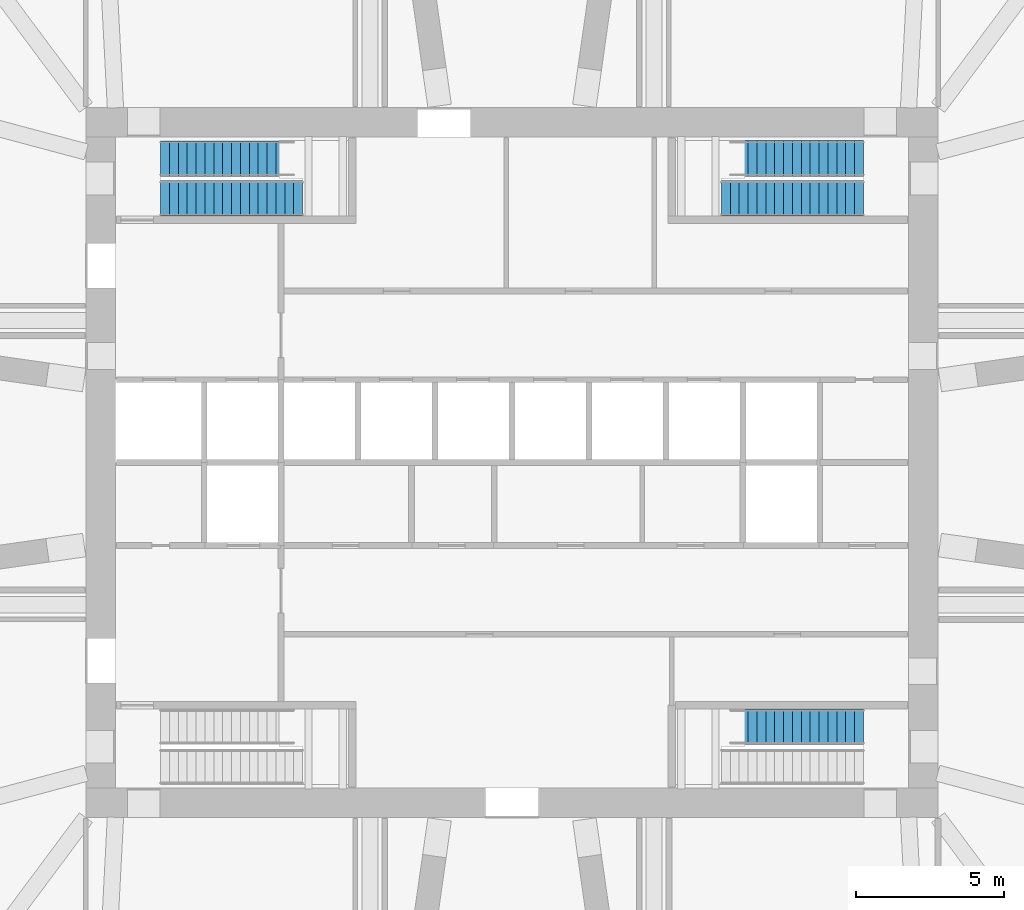
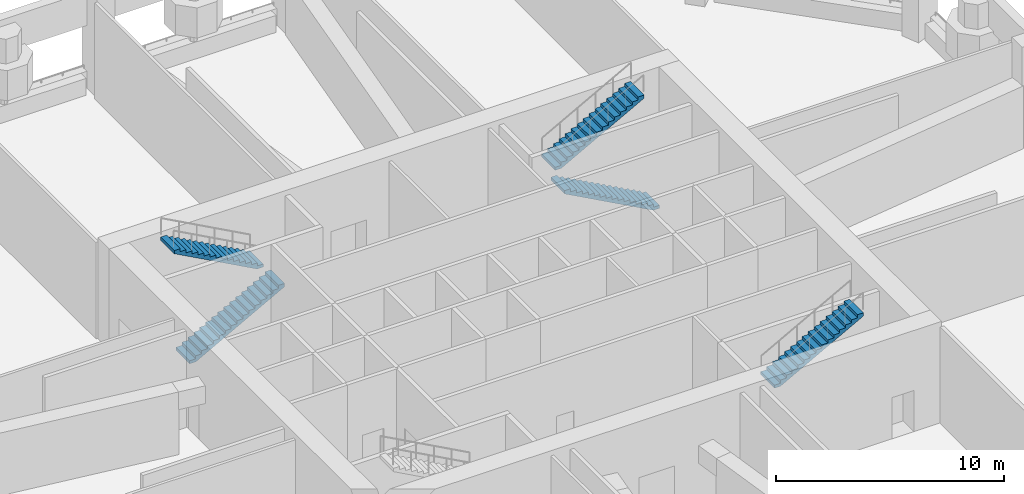
# One storey, part 6 of 9: 5 stair flights, 3 elements without a shape of their own.
"""IFC4 building model written with IfcOpenShell, lengths in metres."""

import ifcopenshell
import ifcopenshell.guid

model = None  # the IFC model being written
_history = None  # IfcOwnerHistory: only IFC2X3 demands one
_inside = {}  # id of a spatial element -> (the spatial element, [elements in it])
_under = {}  # id of a project, library or spatial element -> (it, [spatial elements below it])
_declared = {}  # id of a project -> (the project, [libraries it declares])
_typed = {}  # id of a type object -> (the type object, [elements of that type])
_made_of = {}  # id of a material, layer set ... -> (it, [elements and type objects made of it])


def new_model(schema):
    """Start an empty IFC model of exactly this schema.

    Asked for "IFC4X3", IfcOpenShell would pick the latest addendum, in which some entities
    have other attributes; the version numbers below select the first issue.
    IFC2X3 requires an IfcOwnerHistory on every rooted entity: one is made here for all.
    """
    global model, _history
    if schema == "IFC4X3":
        model = ifcopenshell.file(schema_version=(4, 3, 0, 0))
    else:
        model = ifcopenshell.file(schema=schema)
    _inside.clear()
    _under.clear()
    _declared.clear()
    _typed.clear()
    _made_of.clear()
    _history = None
    if model.schema == "IFC2X3":
        org = make("IfcOrganization", Name="unknown")
        user = make(
            "IfcPersonAndOrganization",
            ThePerson=make("IfcPerson", FamilyName="unknown"),
            TheOrganization=org,
        )
        app = make(
            "IfcApplication",
            ApplicationDeveloper=org,
            Version="unknown",
            ApplicationFullName="unknown",
            ApplicationIdentifier="unknown",
        )
        _history = make(
            "IfcOwnerHistory",
            OwningUser=user,
            OwningApplication=app,
            ChangeAction="ADDED",
            CreationDate=0,
        )
    return model


def make(cls, **values):
    """One entity of the class cls with the attributes given. An attribute that is None is left unset."""
    return model.create_entity(
        cls, **{name: value for name, value in values.items() if value is not None}
    )


def rooted(cls, **values):
    """An entity with a GlobalId (a new one), such as an element, a storey or a relation."""
    return make(cls, GlobalId=ifcopenshell.guid.new(), OwnerHistory=_history, **values)


def si_unit(unit_type, name, prefix=None):
    """IfcSIUnit, for example si_unit("LENGTHUNIT", "METRE", prefix="MILLI")."""
    return make("IfcSIUnit", UnitType=unit_type, Prefix=prefix, Name=name)


def assignment(units):
    """IfcUnitAssignment: the units of a project."""
    return None if units is None else make("IfcUnitAssignment", Units=units)


def point(xyz):
    """IfcCartesianPoint."""
    return None if xyz is None else make("IfcCartesianPoint", Coordinates=xyz)


def direction(xyz):
    """IfcDirection."""
    return None if xyz is None else make("IfcDirection", DirectionRatios=xyz)


def frame(location, z_axis=None, x_axis=None):
    """IfcAxis2Placement3D, a coordinate frame: its origin and axes. An axis left out is left unset."""
    return make(
        "IfcAxis2Placement3D",
        Location=point(location),
        Axis=direction(z_axis),
        RefDirection=direction(x_axis),
    )


def origin():
    """The frame at (0, 0, 0) with its axes left unset."""
    return frame((0.0, 0.0, 0.0))


def place(relative_to, where):
    """IfcLocalPlacement: puts the frame where relative to a parent placement (None: the world)."""
    return make(
        "IfcLocalPlacement", PlacementRelTo=relative_to, RelativePlacement=where
    )


def context(
    kind, dimensions, precision=None, world=None, true_north=None, identifier=None
):
    """IfcGeometricRepresentationContext, for example the 3D "Model" context."""
    return make(
        "IfcGeometricRepresentationContext",
        ContextIdentifier=identifier,
        ContextType=kind,
        CoordinateSpaceDimension=dimensions,
        Precision=precision,
        WorldCoordinateSystem=world,
        TrueNorth=true_north,
    )


def subcontext(parent, identifier, kind, view, scale=None):
    """IfcGeometricRepresentationSubContext, for example "Body" below "Model"."""
    return make(
        "IfcGeometricRepresentationSubContext",
        ContextIdentifier=identifier,
        ContextType=kind,
        ParentContext=parent,
        TargetScale=scale,
        TargetView=view,
    )


def project(units=None, contexts=None):
    """IfcProject with its units and contexts."""
    return rooted(
        "IfcProject",
        Name="project",
        RepresentationContexts=contexts,
        UnitsInContext=assignment(units),
    )


def spatial(cls, under=None, at=None, **own):
    """A site, building, storey or space (cls), placed at a placement, below another one or the project."""
    s = rooted(cls, ObjectPlacement=at, **own)
    if under is not None:
        _under.setdefault(under.id(), (under, []))[1].append(s)
    return s


def polyline(points):
    """IfcPolyline through the points."""
    return make("IfcPolyline", Points=[point(p) for p in points])


def outline(outer, holes=None, kind="AREA"):
    """IfcArbitraryClosedProfileDef: a profile drawn as a closed curve; with holes, ...WithVoids."""
    if holes is None:
        return make("IfcArbitraryClosedProfileDef", ProfileType=kind, OuterCurve=outer)
    return make(
        "IfcArbitraryProfileDefWithVoids",
        ProfileType=kind,
        OuterCurve=outer,
        InnerCurves=holes,
    )


def extrude(swept, where, along, depth):
    """IfcExtrudedAreaSolid: the profile swept, set in the frame where, extruded along a direction by depth."""
    return make(
        "IfcExtrudedAreaSolid",
        SweptArea=swept,
        Position=where,
        ExtrudedDirection=direction(along),
        Depth=depth,
    )


def shape(context_of_items, identifier, shape_type, items):
    """IfcShapeRepresentation: the items that make up one representation, for example the "Body"."""
    return make(
        "IfcShapeRepresentation",
        ContextOfItems=context_of_items,
        RepresentationIdentifier=identifier,
        RepresentationType=shape_type,
        Items=items,
    )


def material(Name=None, Category=None):
    """IfcMaterial."""
    return make("IfcMaterial", Name=Name, Category=Category)


def made_of(thing, what):
    """Note that an element or type object is made of a material, layer set ...; save() writes the relation."""
    if what is not None:
        _made_of.setdefault(what.id(), (what, []))[1].append(thing)
    return thing


def type_object(cls, material=None, **own):
    """A type object (cls), such as IfcWallType, which elements share."""
    return made_of(rooted(cls, **own), material)


def element(
    cls,
    number,
    at=None,
    inside=None,
    cuts=None,
    type_object=None,
    material=None,
    context=None,
    identifier="Body",
    shape_type=None,
    held_by="IfcProductDefinitionShape",
    body=None,
    shapes=None,
    **own,
):
    """One element of the class cls, such as IfcWall. Its Tag is "e" and its number.

    at: its placement. inside: the storey or other place that contains it. cuts: it is an
    opening in that element (IfcRelVoidsElement). A single representation is given by context,
    identifier, shape_type and body (its items); several are given by shapes. held_by: the class
    of the entity that holds the representations. save() writes the other relations.
    """
    e = rooted(cls, Tag="e%d" % number, ObjectPlacement=at, **own)
    if body is not None:
        shapes = [shape(context, identifier, shape_type, body)]
    if shapes is not None:
        e.Representation = make(held_by, Representations=shapes)
    if inside is not None:
        _inside.setdefault(inside.id(), (inside, []))[1].append(e)
    if cuts is not None:
        rooted(
            "IfcRelVoidsElement", RelatingBuildingElement=cuts, RelatedOpeningElement=e
        )
    if type_object is not None:
        _typed.setdefault(type_object.id(), (type_object, []))[1].append(e)
    return made_of(e, material)


def aggregate(whole, parts):
    """IfcRelAggregates: a whole, such as a stair, and the parts it consists of."""
    return rooted("IfcRelAggregates", RelatingObject=whole, RelatedObjects=parts)


def save(model, path):
    """Write the relations noted so far, then the file.

    IfcRelAggregates (storeys below a building ...), IfcRelContainedInSpatialStructure (elements
    in a storey), IfcRelDefinesByType, IfcRelAssociatesMaterial and IfcRelDeclares: one each for
    every whole, place, type object, material and project.
    """
    for whole, parts in _under.values():
        aggregate(whole, parts)
    for where, things in _inside.values():
        rooted(
            "IfcRelContainedInSpatialStructure",
            RelatedElements=things,
            RelatingStructure=where,
        )
    for kind, things in _typed.values():
        rooted("IfcRelDefinesByType", RelatedObjects=things, RelatingType=kind)
    for what, things in _made_of.values():
        rooted("IfcRelAssociatesMaterial", RelatedObjects=things, RelatingMaterial=what)
    for by, libraries in _declared.values():
        rooted("IfcRelDeclares", RelatingContext=by, RelatedDefinitions=libraries)
    model.write(path)


model = new_model("IFC4")

# Units and contexts
model_context = context("Model", 3, precision=1e-05, world=origin(), true_north=direction((0.0, 1.0)))
body_context = subcontext(model_context, "Body", "Model", "MODEL_VIEW")
ifc_project = project(units=[si_unit("LENGTHUNIT", "METRE"), si_unit("AREAUNIT", "SQUARE_METRE"), si_unit("VOLUMEUNIT", "CUBIC_METRE"), si_unit("PLANEANGLEUNIT", "RADIAN"), si_unit("MASSUNIT", "GRAM", prefix="KILO")], contexts=[model_context])

# Site, building, storey
site_placement = place(None, origin())
site = spatial("IfcSite", under=ifc_project, at=site_placement, CompositionType="ELEMENT")
building_placement = place(site_placement, origin())
building = spatial("IfcBuilding", under=site, at=building_placement, Name="Msitu Wima Residences", CompositionType="ELEMENT")
storey_placement = place(building_placement, frame((0.0, 0.0, 101.10009765625)))
storey = spatial("IfcBuildingStorey", under=building, at=storey_placement, Name="L23", CompositionType="ELEMENT", Elevation=101.10009765625)

# Stair, stair flights
ifc_material = material(Name="Concrete C40/50", Category="concrete")
stair_type = type_object("IfcStairType", Name="Exit stair ES1636-120", PredefinedType="HALF_TURN_STAIR", material=ifc_material)
stair_1_placement = place(storey_placement, origin())
stair_1 = element("IfcStair", 1, at=stair_1_placement, inside=storey, type_object=stair_type, Name="Exit stair 1", PredefinedType="HALF_TURN_STAIR")
stair_flight_type = type_object("IfcStairFlightType", Name="Exit stair flight ES1636-120", PredefinedType="STRAIGHT", material=ifc_material)
stair_flight_1_placement = place(storey_placement, frame((-11.875, 8.925048828125, 0.0), z_axis=(0.0, 0.0, 1.0), x_axis=(1.0, 0.0, 0.0)))
stair_flight_1 = element("IfcStairFlight", 2, at=stair_flight_1_placement, type_object=stair_flight_type, Name="S1 flight 1", NumberOfRisers=17, NumberOfTreads=16, PredefinedType="STRAIGHT", RiserHeight=0.163636364, TreadLength=0.3, context=body_context, shape_type="SweptSolid", body=[
    extrude(outline(polyline([(0.0, 0.0), (0.0, 0.16357421875), (0.300048828125, 0.16357421875), (0.300048828125, 0.327392578125), (0.60009765625, 0.327392578125), (0.60009765625, 0.490966796875), (0.89990234375, 0.490966796875), (0.89990234375, 0.654541015625), (1.199951171875, 0.654541015625), (1.199951171875, 0.818115234375), (1.5, 0.818115234375), (1.5, 0.98193359375), (1.800048828125, 0.98193359375), (1.800048828125, 1.1455078125), (2.10009765625, 1.1455078125), (2.10009765625, 1.30908203125), (2.39990234375, 1.30908203125), (2.39990234375, 1.47265625), (2.699951171875, 1.47265625), (2.699951171875, 1.636474609375), (3.0, 1.636474609375), (3.0, 1.800048828125), (3.300048828125, 1.800048828125), (3.300048828125, 1.963623046875), (3.60009765625, 1.963623046875), (3.60009765625, 2.127197265625), (3.89990234375, 2.127197265625), (3.89990234375, 2.291015625), (4.199951171875, 2.291015625), (4.199951171875, 2.45458984375), (4.5, 2.45458984375), (4.5, 2.6181640625), (4.800048828125, 2.6181640625), (4.800048828125, 2.78173828125), (4.800048828125, 2.447509765625), (0.31298828125, 0.0), (0.0, 0.0)])), frame((0.0, 0.60009765625, 0.0), z_axis=(0.0, -1.0, 0.0), x_axis=(1.0, 0.0, 0.0)), (0.0, 0.0, 1.0), 1.199951171875),
])
stair_flight_2_placement = place(storey_placement, frame((-7.375, 10.27490234375, 2.78173828125), z_axis=(0.0, 0.0, 1.0), x_axis=(-1.0, 0.0, 0.0)))
stair_flight_2 = element("IfcStairFlight", 3, at=stair_flight_2_placement, type_object=stair_flight_type, Name="S1 flight 2", NumberOfRisers=16, NumberOfTreads=15, PredefinedType="STRAIGHT", RiserHeight=0.163636364, TreadLength=0.3, context=body_context, shape_type="SweptSolid", body=[
    extrude(outline(polyline([(0.0, 0.0), (0.0, 0.16357421875), (0.300048828125, 0.16357421875), (0.300048828125, 0.327392578125), (0.60009765625, 0.327392578125), (0.60009765625, 0.490966796875), (0.89990234375, 0.490966796875), (0.89990234375, 0.654541015625), (1.199951171875, 0.654541015625), (1.199951171875, 0.818115234375), (1.5, 0.818115234375), (1.5, 0.98193359375), (1.800048828125, 0.98193359375), (1.800048828125, 1.1455078125), (2.10009765625, 1.1455078125), (2.10009765625, 1.30908203125), (2.39990234375, 1.30908203125), (2.39990234375, 1.47265625), (2.699951171875, 1.47265625), (2.699951171875, 1.636474609375), (3.0, 1.636474609375), (3.0, 1.800048828125), (3.300048828125, 1.800048828125), (3.300048828125, 1.963623046875), (3.60009765625, 1.963623046875), (3.60009765625, 2.127197265625), (3.89990234375, 2.127197265625), (3.89990234375, 2.291015625), (4.199951171875, 2.291015625), (4.199951171875, 2.45458984375), (4.5, 2.45458984375), (4.5, 2.6181640625), (4.5, 2.28369140625), (0.31298828125, 0.0), (0.0, 0.0)])), frame((0.0, 0.60009765625, 0.0), z_axis=(0.0, -1.0, 0.0), x_axis=(1.0, 0.0, 0.0)), (0.0, 0.0, 1.0), 1.199951171875),
])
aggregate(stair_1, [stair_flight_1, stair_flight_2])

stair_2_placement = place(storey_placement, origin())
stair_2 = element("IfcStair", 4, at=stair_2_placement, inside=storey, type_object=stair_type, Name="Exit stair 3", PredefinedType="HALF_TURN_STAIR")
stair_flight_3_placement = place(storey_placement, frame((11.875, 8.925048828125, 0.0), z_axis=(0.0, 0.0, 1.0), x_axis=(-1.0, 0.0, 0.0)))
stair_flight_3 = element("IfcStairFlight", 5, at=stair_flight_3_placement, type_object=stair_flight_type, Name="S3 flight 1", NumberOfRisers=17, NumberOfTreads=16, PredefinedType="STRAIGHT", RiserHeight=0.163636364, TreadLength=0.3, context=body_context, shape_type="SweptSolid", body=[
    extrude(outline(polyline([(0.0, 0.0), (0.0, 0.16357421875), (0.300048828125, 0.16357421875), (0.300048828125, 0.327392578125), (0.60009765625, 0.327392578125), (0.60009765625, 0.490966796875), (0.89990234375, 0.490966796875), (0.89990234375, 0.654541015625), (1.199951171875, 0.654541015625), (1.199951171875, 0.818115234375), (1.5, 0.818115234375), (1.5, 0.98193359375), (1.800048828125, 0.98193359375), (1.800048828125, 1.1455078125), (2.10009765625, 1.1455078125), (2.10009765625, 1.30908203125), (2.39990234375, 1.30908203125), (2.39990234375, 1.47265625), (2.699951171875, 1.47265625), (2.699951171875, 1.636474609375), (3.0, 1.636474609375), (3.0, 1.800048828125), (3.300048828125, 1.800048828125), (3.300048828125, 1.963623046875), (3.60009765625, 1.963623046875), (3.60009765625, 2.127197265625), (3.89990234375, 2.127197265625), (3.89990234375, 2.291015625), (4.199951171875, 2.291015625), (4.199951171875, 2.45458984375), (4.5, 2.45458984375), (4.5, 2.6181640625), (4.800048828125, 2.6181640625), (4.800048828125, 2.78173828125), (4.800048828125, 2.447509765625), (0.31298828125, 0.0), (0.0, 0.0)])), frame((0.0, 0.60009765625, 0.0), z_axis=(0.0, -1.0, 0.0), x_axis=(1.0, 0.0, 0.0)), (0.0, 0.0, 1.0), 1.199951171875),
])
stair_flight_4_placement = place(storey_placement, frame((7.375, 10.27490234375, 2.78173828125), z_axis=(0.0, 0.0, 1.0), x_axis=(1.0, 0.0, 0.0)))
stair_flight_4 = element("IfcStairFlight", 6, at=stair_flight_4_placement, type_object=stair_flight_type, Name="S3 flight 2", NumberOfRisers=16, NumberOfTreads=15, PredefinedType="STRAIGHT", RiserHeight=0.163636364, TreadLength=0.3, context=body_context, shape_type="SweptSolid", body=[
    extrude(outline(polyline([(0.0, 0.0), (0.0, 0.16357421875), (0.300048828125, 0.16357421875), (0.300048828125, 0.327392578125), (0.60009765625, 0.327392578125), (0.60009765625, 0.490966796875), (0.89990234375, 0.490966796875), (0.89990234375, 0.654541015625), (1.199951171875, 0.654541015625), (1.199951171875, 0.818115234375), (1.5, 0.818115234375), (1.5, 0.98193359375), (1.800048828125, 0.98193359375), (1.800048828125, 1.1455078125), (2.10009765625, 1.1455078125), (2.10009765625, 1.30908203125), (2.39990234375, 1.30908203125), (2.39990234375, 1.47265625), (2.699951171875, 1.47265625), (2.699951171875, 1.636474609375), (3.0, 1.636474609375), (3.0, 1.800048828125), (3.300048828125, 1.800048828125), (3.300048828125, 1.963623046875), (3.60009765625, 1.963623046875), (3.60009765625, 2.127197265625), (3.89990234375, 2.127197265625), (3.89990234375, 2.291015625), (4.199951171875, 2.291015625), (4.199951171875, 2.45458984375), (4.5, 2.45458984375), (4.5, 2.6181640625), (4.5, 2.28369140625), (0.31298828125, 0.0), (0.0, 0.0)])), frame((0.0, 0.60009765625, 0.0), z_axis=(0.0, -1.0, 0.0), x_axis=(1.0, 0.0, 0.0)), (0.0, 0.0, 1.0), 1.199951171875),
])
aggregate(stair_2, [stair_flight_3, stair_flight_4])

# Stair, stair flight
stair_3_placement = place(storey_placement, origin())
stair_3 = element("IfcStair", 7, at=stair_3_placement, inside=storey, type_object=stair_type, Name="Exit stair 4", PredefinedType="HALF_TURN_STAIR")
stair_flight_5_placement = place(storey_placement, frame((7.375, -8.925048828125, 2.78173828125), z_axis=(0.0, 0.0, 1.0), x_axis=(1.0, 0.0, 0.0)))
stair_flight_5 = element("IfcStairFlight", 8, at=stair_flight_5_placement, type_object=stair_flight_type, Name="S4 flight 2", NumberOfRisers=16, NumberOfTreads=15, PredefinedType="STRAIGHT", RiserHeight=0.163636364, TreadLength=0.3, context=body_context, shape_type="SweptSolid", body=[
    extrude(outline(polyline([(0.0, 0.0), (0.0, 0.16357421875), (0.300048828125, 0.16357421875), (0.300048828125, 0.327392578125), (0.60009765625, 0.327392578125), (0.60009765625, 0.490966796875), (0.89990234375, 0.490966796875), (0.89990234375, 0.654541015625), (1.199951171875, 0.654541015625), (1.199951171875, 0.818115234375), (1.5, 0.818115234375), (1.5, 0.98193359375), (1.800048828125, 0.98193359375), (1.800048828125, 1.1455078125), (2.10009765625, 1.1455078125), (2.10009765625, 1.30908203125), (2.39990234375, 1.30908203125), (2.39990234375, 1.47265625), (2.699951171875, 1.47265625), (2.699951171875, 1.636474609375), (3.0, 1.636474609375), (3.0, 1.800048828125), (3.300048828125, 1.800048828125), (3.300048828125, 1.963623046875), (3.60009765625, 1.963623046875), (3.60009765625, 2.127197265625), (3.89990234375, 2.127197265625), (3.89990234375, 2.291015625), (4.199951171875, 2.291015625), (4.199951171875, 2.45458984375), (4.5, 2.45458984375), (4.5, 2.6181640625), (4.5, 2.28369140625), (0.31298828125, 0.0), (0.0, 0.0)])), frame((0.0, 0.60009765625, 0.0), z_axis=(0.0, -1.0, 0.0), x_axis=(1.0, 0.0, 0.0)), (0.0, 0.0, 1.0), 1.199951171875),
])
aggregate(stair_3, [stair_flight_5])

save(model, "model.ifc")
